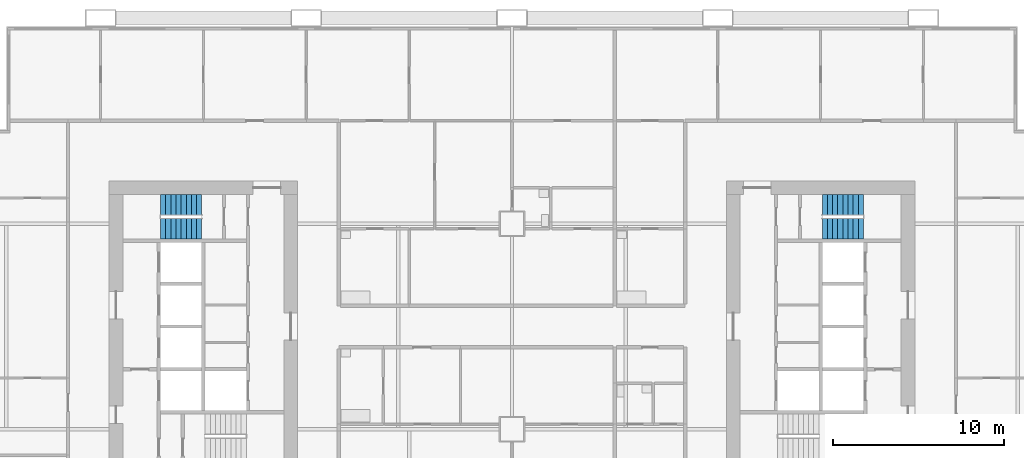
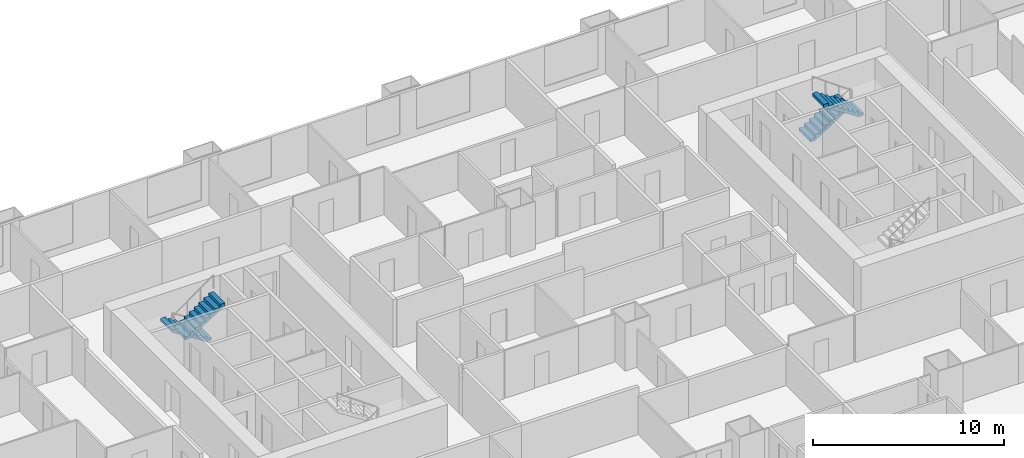
# One storey, part 11 of 13: 4 stair flights, 2 elements without a shape of their own.
"""IFC4 building model written with IfcOpenShell, lengths in metres."""

from ifc_helpers import new_model, si_unit, direction, frame, origin, place, context, subcontext, project, spatial, polyline, outline, extrude, material, type_object, element, aggregate, save


model = new_model("IFC4")

# Units and contexts
model_context = context("Model", 3, precision=1e-05, world=origin(), true_north=direction((0.0, 1.0)))
body_context = subcontext(model_context, "Body", "Model", "MODEL_VIEW")
ifc_project = project(units=[si_unit("LENGTHUNIT", "METRE"), si_unit("AREAUNIT", "SQUARE_METRE"), si_unit("VOLUMEUNIT", "CUBIC_METRE"), si_unit("PLANEANGLEUNIT", "RADIAN"), si_unit("MASSUNIT", "GRAM", prefix="KILO")], contexts=[model_context])

# Site, building, storey
site_placement = place(None, origin())
site = spatial("IfcSite", under=ifc_project, at=site_placement, CompositionType="ELEMENT")
building_placement = place(site_placement, origin())
building = spatial("IfcBuilding", under=site, at=building_placement, Name="Kitamizu Gate Tower and Museum", CompositionType="ELEMENT")
storey_placement = place(building_placement, frame((0.0, 0.0, 57.60009765625)))
storey = spatial("IfcBuildingStorey", under=building, at=storey_placement, Name="L13", CompositionType="ELEMENT", Elevation=57.60009765625)

# Stair, stair flights
ifc_material_1 = material(Name="Concrete Fc42", Category="concrete")
stair_type = type_object("IfcStairType", Name="Exit stair 1200 wide 192 rise 300 going", PredefinedType="HALF_TURN_STAIR", material=ifc_material_1)
stair_1_placement = place(storey_placement, origin())
stair_1 = element("IfcStair", 1, at=stair_1_placement, inside=storey, type_object=stair_type, Name="Exit stair ST2", PredefinedType="HALF_TURN_STAIR")
ifc_material_2 = material(Name="Concrete Fc42", Category="concrete")
stair_flight_type = type_object("IfcStairFlightType", Name="Stair flight 1200 wide 192 rise 300 going", PredefinedType="STRAIGHT", material=ifc_material_2)
stair_flight_1_placement = place(storey_placement, frame((17.89990234375, 37.10009765625, 0.0), z_axis=(0.0, 0.0, 1.0), x_axis=(-1.0, 0.0, 0.0)))
stair_flight_1 = element("IfcStairFlight", 2, at=stair_flight_1_placement, type_object=stair_flight_type, Name="ST2 flight 1", NumberOfRisers=9, NumberOfTreads=8, PredefinedType="STRAIGHT", RiserHeight=0.191666667, TreadLength=0.3, context=body_context, shape_type="SweptSolid", body=[
    extrude(outline(polyline([(0.0, 0.0), (0.0, 0.191650390625), (0.300048828125, 0.191650390625), (0.300048828125, 0.38330078125), (0.60009765625, 0.38330078125), (0.60009765625, 0.574951171875), (0.89990234375, 0.574951171875), (0.89990234375, 0.7666015625), (1.199951171875, 0.7666015625), (1.199951171875, 0.958251953125), (1.5, 0.958251953125), (1.5, 1.14990234375), (1.800048828125, 1.14990234375), (1.800048828125, 1.341552734375), (2.10009765625, 1.341552734375), (2.10009765625, 1.533447265625), (2.39990234375, 1.533447265625), (2.39990234375, 1.72509765625), (2.39990234375, 1.35546875), (0.2783203125, 0.0), (0.0, 0.0)])), frame((0.0, 0.60009765625, 0.0), z_axis=(0.0, -1.0, 0.0), x_axis=(1.0, 0.0, 0.0)), (0.0, 0.0, 1.0), 1.199951171875),
])
stair_flight_2_placement = place(storey_placement, frame((15.5, 35.699951171875, 1.724853515625), z_axis=(0.0, 0.0, 1.0), x_axis=(1.0, 0.0, 0.0)))
stair_flight_2 = element("IfcStairFlight", 3, at=stair_flight_2_placement, type_object=stair_flight_type, Name="ST2 flight 2", NumberOfRisers=9, NumberOfTreads=8, PredefinedType="STRAIGHT", RiserHeight=0.191666667, TreadLength=0.3, context=body_context, shape_type="SweptSolid", body=[
    extrude(outline(polyline([(0.0, 0.0), (0.0, 0.191650390625), (0.300048828125, 0.191650390625), (0.300048828125, 0.38330078125), (0.60009765625, 0.38330078125), (0.60009765625, 0.574951171875), (0.89990234375, 0.574951171875), (0.89990234375, 0.7666015625), (1.199951171875, 0.7666015625), (1.199951171875, 0.958251953125), (1.5, 0.958251953125), (1.5, 1.14990234375), (1.800048828125, 1.14990234375), (1.800048828125, 1.341552734375), (2.10009765625, 1.341552734375), (2.10009765625, 1.533447265625), (2.39990234375, 1.533447265625), (2.39990234375, 1.72509765625), (2.39990234375, 1.35546875), (0.2783203125, 0.0), (0.0, 0.0)])), frame((0.0, 0.60009765625, 0.0), z_axis=(0.0, -1.0, 0.0), x_axis=(1.0, 0.0, 0.0)), (0.0, 0.0, 1.0), 1.199951171875),
])
aggregate(stair_1, [stair_flight_1, stair_flight_2])

stair_2_placement = place(storey_placement, origin())
stair_2 = element("IfcStair", 4, at=stair_2_placement, inside=storey, type_object=stair_type, Name="Exit stair ST4", PredefinedType="HALF_TURN_STAIR")
stair_flight_3_placement = place(storey_placement, frame((54.10009765625, 37.10009765625, 0.0), z_axis=(0.0, 0.0, 1.0), x_axis=(1.0, 0.0, 0.0)))
stair_flight_3 = element("IfcStairFlight", 5, at=stair_flight_3_placement, type_object=stair_flight_type, Name="ST4 flight 1", NumberOfRisers=9, NumberOfTreads=8, PredefinedType="STRAIGHT", RiserHeight=0.191666667, TreadLength=0.3, context=body_context, shape_type="SweptSolid", body=[
    extrude(outline(polyline([(0.0, 0.0), (0.0, 0.191650390625), (0.300048828125, 0.191650390625), (0.300048828125, 0.38330078125), (0.60009765625, 0.38330078125), (0.60009765625, 0.574951171875), (0.89990234375, 0.574951171875), (0.89990234375, 0.7666015625), (1.199951171875, 0.7666015625), (1.199951171875, 0.958251953125), (1.5, 0.958251953125), (1.5, 1.14990234375), (1.800048828125, 1.14990234375), (1.800048828125, 1.341552734375), (2.10009765625, 1.341552734375), (2.10009765625, 1.533447265625), (2.39990234375, 1.533447265625), (2.39990234375, 1.72509765625), (2.39990234375, 1.35546875), (0.2783203125, 0.0), (0.0, 0.0)])), frame((0.0, 0.60009765625, 0.0), z_axis=(0.0, -1.0, 0.0), x_axis=(1.0, 0.0, 0.0)), (0.0, 0.0, 1.0), 1.199951171875),
])
stair_flight_4_placement = place(storey_placement, frame((56.5, 35.699951171875, 1.724853515625), z_axis=(0.0, 0.0, 1.0), x_axis=(-1.0, 0.0, 0.0)))
stair_flight_4 = element("IfcStairFlight", 6, at=stair_flight_4_placement, type_object=stair_flight_type, Name="ST4 flight 2", NumberOfRisers=9, NumberOfTreads=8, PredefinedType="STRAIGHT", RiserHeight=0.191666667, TreadLength=0.3, context=body_context, shape_type="SweptSolid", body=[
    extrude(outline(polyline([(0.0, 0.0), (0.0, 0.191650390625), (0.300048828125, 0.191650390625), (0.300048828125, 0.38330078125), (0.60009765625, 0.38330078125), (0.60009765625, 0.574951171875), (0.89990234375, 0.574951171875), (0.89990234375, 0.7666015625), (1.199951171875, 0.7666015625), (1.199951171875, 0.958251953125), (1.5, 0.958251953125), (1.5, 1.14990234375), (1.800048828125, 1.14990234375), (1.800048828125, 1.341552734375), (2.10009765625, 1.341552734375), (2.10009765625, 1.533447265625), (2.39990234375, 1.533447265625), (2.39990234375, 1.72509765625), (2.39990234375, 1.35546875), (0.2783203125, 0.0), (0.0, 0.0)])), frame((0.0, 0.60009765625, 0.0), z_axis=(0.0, -1.0, 0.0), x_axis=(1.0, 0.0, 0.0)), (0.0, 0.0, 1.0), 1.199951171875),
])
aggregate(stair_2, [stair_flight_3, stair_flight_4])

save(model, "model.ifc")
